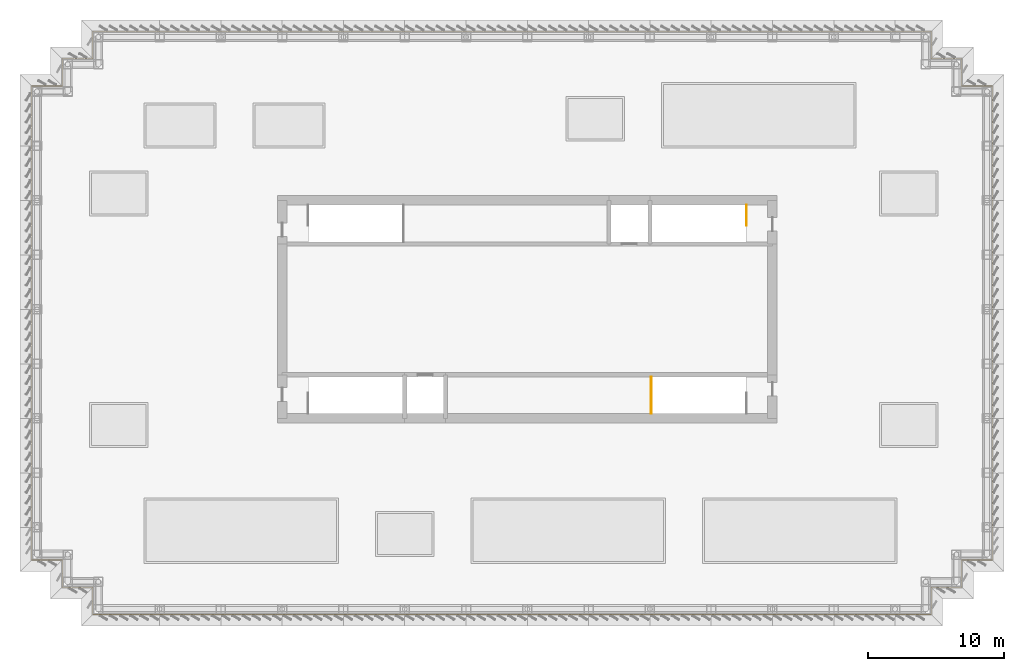
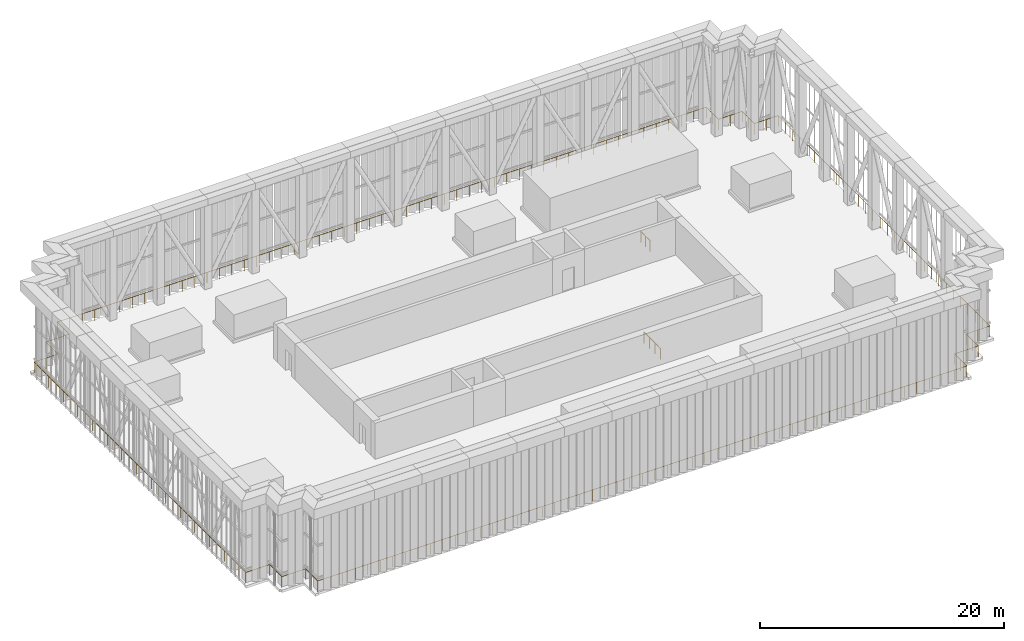
# One storey, part 6 of 11: 3 railings.
"""IFC4 building model written with IfcOpenShell, lengths in metres."""

import ifcopenshell
import ifcopenshell.guid

model = None  # the IFC model being written
_history = None  # IfcOwnerHistory: only IFC2X3 demands one
_inside = {}  # id of a spatial element -> (the spatial element, [elements in it])
_under = {}  # id of a project, library or spatial element -> (it, [spatial elements below it])
_declared = {}  # id of a project -> (the project, [libraries it declares])
_typed = {}  # id of a type object -> (the type object, [elements of that type])
_made_of = {}  # id of a material, layer set ... -> (it, [elements and type objects made of it])


def new_model(schema):
    """Start an empty IFC model of exactly this schema.

    Asked for "IFC4X3", IfcOpenShell would pick the latest addendum, in which some entities
    have other attributes; the version numbers below select the first issue.
    IFC2X3 requires an IfcOwnerHistory on every rooted entity: one is made here for all.
    """
    global model, _history
    if schema == "IFC4X3":
        model = ifcopenshell.file(schema_version=(4, 3, 0, 0))
    else:
        model = ifcopenshell.file(schema=schema)
    _inside.clear()
    _under.clear()
    _declared.clear()
    _typed.clear()
    _made_of.clear()
    _history = None
    if model.schema == "IFC2X3":
        org = make("IfcOrganization", Name="unknown")
        user = make(
            "IfcPersonAndOrganization",
            ThePerson=make("IfcPerson", FamilyName="unknown"),
            TheOrganization=org,
        )
        app = make(
            "IfcApplication",
            ApplicationDeveloper=org,
            Version="unknown",
            ApplicationFullName="unknown",
            ApplicationIdentifier="unknown",
        )
        _history = make(
            "IfcOwnerHistory",
            OwningUser=user,
            OwningApplication=app,
            ChangeAction="ADDED",
            CreationDate=0,
        )
    return model


def make(cls, **values):
    """One entity of the class cls with the attributes given. An attribute that is None is left unset."""
    return model.create_entity(
        cls, **{name: value for name, value in values.items() if value is not None}
    )


def rooted(cls, **values):
    """An entity with a GlobalId (a new one), such as an element, a storey or a relation."""
    return make(cls, GlobalId=ifcopenshell.guid.new(), OwnerHistory=_history, **values)


def si_unit(unit_type, name, prefix=None):
    """IfcSIUnit, for example si_unit("LENGTHUNIT", "METRE", prefix="MILLI")."""
    return make("IfcSIUnit", UnitType=unit_type, Prefix=prefix, Name=name)


def assignment(units):
    """IfcUnitAssignment: the units of a project."""
    return None if units is None else make("IfcUnitAssignment", Units=units)


def point(xyz):
    """IfcCartesianPoint."""
    return None if xyz is None else make("IfcCartesianPoint", Coordinates=xyz)


def direction(xyz):
    """IfcDirection."""
    return None if xyz is None else make("IfcDirection", DirectionRatios=xyz)


def frame(location, z_axis=None, x_axis=None):
    """IfcAxis2Placement3D, a coordinate frame: its origin and axes. An axis left out is left unset."""
    return make(
        "IfcAxis2Placement3D",
        Location=point(location),
        Axis=direction(z_axis),
        RefDirection=direction(x_axis),
    )


def frame_2d(location, x_axis=None):
    """IfcAxis2Placement2D, a coordinate frame in the plane: its origin and x axis."""
    return make(
        "IfcAxis2Placement2D", Location=point(location), RefDirection=direction(x_axis)
    )


def origin():
    """The frame at (0, 0, 0) with its axes left unset."""
    return frame((0.0, 0.0, 0.0))


def origin_2d():
    """The frame at (0, 0) in the plane with its x axis left unset."""
    return frame_2d((0.0, 0.0))


def place(relative_to, where):
    """IfcLocalPlacement: puts the frame where relative to a parent placement (None: the world)."""
    return make(
        "IfcLocalPlacement", PlacementRelTo=relative_to, RelativePlacement=where
    )


def context(
    kind, dimensions, precision=None, world=None, true_north=None, identifier=None
):
    """IfcGeometricRepresentationContext, for example the 3D "Model" context."""
    return make(
        "IfcGeometricRepresentationContext",
        ContextIdentifier=identifier,
        ContextType=kind,
        CoordinateSpaceDimension=dimensions,
        Precision=precision,
        WorldCoordinateSystem=world,
        TrueNorth=true_north,
    )


def subcontext(parent, identifier, kind, view, scale=None):
    """IfcGeometricRepresentationSubContext, for example "Body" below "Model"."""
    return make(
        "IfcGeometricRepresentationSubContext",
        ContextIdentifier=identifier,
        ContextType=kind,
        ParentContext=parent,
        TargetScale=scale,
        TargetView=view,
    )


def project(units=None, contexts=None):
    """IfcProject with its units and contexts."""
    return rooted(
        "IfcProject",
        Name="project",
        RepresentationContexts=contexts,
        UnitsInContext=assignment(units),
    )


def spatial(cls, under=None, at=None, **own):
    """A site, building, storey or space (cls), placed at a placement, below another one or the project."""
    s = rooted(cls, ObjectPlacement=at, **own)
    if under is not None:
        _under.setdefault(under.id(), (under, []))[1].append(s)
    return s


def profile(cls, at=None, kind="AREA", **sizes):
    """A parametric profile (cls). Its sizes go by their IFC names, for example OverallWidth=200.0."""
    return make(cls, ProfileType=kind, Position=at, **sizes)


def circle(**sizes):
    """IfcCircleProfileDef."""
    return profile("IfcCircleProfileDef", **sizes)


def extrude(swept, where, along, depth):
    """IfcExtrudedAreaSolid: the profile swept, set in the frame where, extruded along a direction by depth."""
    return make(
        "IfcExtrudedAreaSolid",
        SweptArea=swept,
        Position=where,
        ExtrudedDirection=direction(along),
        Depth=depth,
    )


def shape(context_of_items, identifier, shape_type, items):
    """IfcShapeRepresentation: the items that make up one representation, for example the "Body"."""
    return make(
        "IfcShapeRepresentation",
        ContextOfItems=context_of_items,
        RepresentationIdentifier=identifier,
        RepresentationType=shape_type,
        Items=items,
    )


def material(Name=None, Category=None):
    """IfcMaterial."""
    return make("IfcMaterial", Name=Name, Category=Category)


def made_of(thing, what):
    """Note that an element or type object is made of a material, layer set ...; save() writes the relation."""
    if what is not None:
        _made_of.setdefault(what.id(), (what, []))[1].append(thing)
    return thing


def type_object(cls, material=None, **own):
    """A type object (cls), such as IfcWallType, which elements share."""
    return made_of(rooted(cls, **own), material)


def element(
    cls,
    number,
    at=None,
    inside=None,
    cuts=None,
    type_object=None,
    material=None,
    context=None,
    identifier="Body",
    shape_type=None,
    held_by="IfcProductDefinitionShape",
    body=None,
    shapes=None,
    **own,
):
    """One element of the class cls, such as IfcWall. Its Tag is "e" and its number.

    at: its placement. inside: the storey or other place that contains it. cuts: it is an
    opening in that element (IfcRelVoidsElement). A single representation is given by context,
    identifier, shape_type and body (its items); several are given by shapes. held_by: the class
    of the entity that holds the representations. save() writes the other relations.
    """
    e = rooted(cls, Tag="e%d" % number, ObjectPlacement=at, **own)
    if body is not None:
        shapes = [shape(context, identifier, shape_type, body)]
    if shapes is not None:
        e.Representation = make(held_by, Representations=shapes)
    if inside is not None:
        _inside.setdefault(inside.id(), (inside, []))[1].append(e)
    if cuts is not None:
        rooted(
            "IfcRelVoidsElement", RelatingBuildingElement=cuts, RelatedOpeningElement=e
        )
    if type_object is not None:
        _typed.setdefault(type_object.id(), (type_object, []))[1].append(e)
    return made_of(e, material)


def aggregate(whole, parts):
    """IfcRelAggregates: a whole, such as a stair, and the parts it consists of."""
    return rooted("IfcRelAggregates", RelatingObject=whole, RelatedObjects=parts)


def save(model, path):
    """Write the relations noted so far, then the file.

    IfcRelAggregates (storeys below a building ...), IfcRelContainedInSpatialStructure (elements
    in a storey), IfcRelDefinesByType, IfcRelAssociatesMaterial and IfcRelDeclares: one each for
    every whole, place, type object, material and project.
    """
    for whole, parts in _under.values():
        aggregate(whole, parts)
    for where, things in _inside.values():
        rooted(
            "IfcRelContainedInSpatialStructure",
            RelatedElements=things,
            RelatingStructure=where,
        )
    for kind, things in _typed.values():
        rooted("IfcRelDefinesByType", RelatedObjects=things, RelatingType=kind)
    for what, things in _made_of.values():
        rooted("IfcRelAssociatesMaterial", RelatedObjects=things, RelatingMaterial=what)
    for by, libraries in _declared.values():
        rooted("IfcRelDeclares", RelatingContext=by, RelatedDefinitions=libraries)
    model.write(path)


model = new_model("IFC4")

# Units and contexts
model_context = context("Model", 3, precision=1e-05, world=origin(), true_north=direction((0.0, 1.0)))
body_context = subcontext(model_context, "Body", "Model", "MODEL_VIEW")
ifc_project = project(units=[si_unit("LENGTHUNIT", "METRE"), si_unit("AREAUNIT", "SQUARE_METRE"), si_unit("VOLUMEUNIT", "CUBIC_METRE"), si_unit("PLANEANGLEUNIT", "RADIAN"), si_unit("MASSUNIT", "GRAM", prefix="KILO")], contexts=[model_context])

# Site, building, storey
site_placement = place(None, origin())
site = spatial("IfcSite", under=ifc_project, at=site_placement, CompositionType="ELEMENT")
building_placement = place(site_placement, origin())
building = spatial("IfcBuilding", under=site, at=building_placement, Name="Rheinbord Bourse Tower", CompositionType="ELEMENT")
storey_placement = place(building_placement, frame((0.0, 0.0, 334.10009765625)))
storey = spatial("IfcBuildingStorey", under=building, at=storey_placement, Name="RF", CompositionType="ELEMENT", Elevation=334.10009765625)

# Railings
ifc_material_1 = material(Name="Steel and glass guard", Category="steel")
railing_type_1 = type_object("IfcRailingType", Name="GUARD 1100", PredefinedType="GUARDRAIL", material=ifc_material_1)
railing_1_placement = place(storey_placement, frame((45.10009765625, 16.35009765625, 0.0)))
element("IfcRailing", 1, at=railing_1_placement, inside=storey, type_object=railing_type_1, Name="Stair well guard ST3 RF", PredefinedType="GUARDRAIL", context=body_context, shape_type="SweptSolid", body=[
    extrude(circle(Radius=0.02392578125, at=origin_2d()), frame((0.0, 0.0, 1.076171875), z_axis=(0.0, 1.0, 0.0), x_axis=(-1.0, 0.0, 0.0)), (0.0, 0.0, 1.0), 2.699951171875),
    extrude(circle(Radius=0.02099609375, at=origin_2d()), origin(), (0.0, 0.0, 1.0), 1.052001953125),
    extrude(circle(Radius=0.02099609375, at=origin_2d()), frame((0.0, 0.89990234375, 0.0)), (0.0, 0.0, 1.0), 1.052001953125),
    extrude(circle(Radius=0.02099609375, at=origin_2d()), frame((0.0, 1.800048828125, 0.0)), (0.0, 0.0, 1.0), 1.052001953125),
    extrude(circle(Radius=0.02099609375, at=origin_2d()), frame((0.0, 2.699951171875, 0.0)), (0.0, 0.0, 1.0), 1.052001953125),
])
railing_2_placement = place(storey_placement, frame((52.10009765625, 30.14990234375, 0.0)))
element("IfcRailing", 2, at=railing_2_placement, inside=storey, type_object=railing_type_1, Name="Stair well guard ST4 RF", PredefinedType="GUARDRAIL", context=body_context, shape_type="SweptSolid", body=[
    extrude(circle(Radius=0.02392578125, at=origin_2d()), frame((0.0, 0.0, 1.076171875), z_axis=(0.0, 1.0, 0.0), x_axis=(-1.0, 0.0, 0.0)), (0.0, 0.0, 1.0), 1.5),
    extrude(circle(Radius=0.02099609375, at=origin_2d()), origin(), (0.0, 0.0, 1.0), 1.052001953125),
    extrude(circle(Radius=0.02099609375, at=origin_2d()), frame((0.0, 0.75, 0.0)), (0.0, 0.0, 1.0), 1.052001953125),
    extrude(circle(Radius=0.02099609375, at=origin_2d()), frame((0.0, 1.5, 0.0)), (0.0, 0.0, 1.0), 1.052001953125),
])
ifc_material_2 = material(Name="Black steel guard", Category="steel")
railing_type_2 = type_object("IfcRailingType", Name="ROOF GUARD 1100", PredefinedType="GUARDRAIL", material=ifc_material_2)
railing_3_placement = place(storey_placement, frame((4.10009765625, 1.60009765625, 0.0)))
element("IfcRailing", 3, at=railing_3_placement, inside=storey, type_object=railing_type_2, Name="Roof guard", PredefinedType="GUARDRAIL", context=body_context, shape_type="SweptSolid", body=[
    extrude(circle(Radius=0.02392578125, at=origin_2d()), frame((0.0, 0.0, 1.076171875), z_axis=(1.0, 0.0, 0.0), x_axis=(0.0, 1.0, 0.0)), (0.0, 0.0, 1.0), 61.5498046875),
    extrude(circle(Radius=0.02392578125, at=origin_2d()), frame((61.5498046875, 0.0, 1.076171875), z_axis=(0.0, 1.0, 0.0), x_axis=(-1.0, 0.0, 0.0)), (0.0, 0.0, 1.0), 2.0),
    extrude(circle(Radius=0.02392578125, at=origin_2d()), frame((61.5498046875, 2.0, 1.076171875), z_axis=(1.0, 0.0, 0.0), x_axis=(0.0, 1.0, 0.0)), (0.0, 0.0, 1.0), 2.25),
    extrude(circle(Radius=0.02392578125, at=origin_2d()), frame((63.7998046875, 2.0, 1.076171875), z_axis=(0.0, 1.0, 0.0), x_axis=(-1.0, 0.0, 0.0)), (0.0, 0.0, 1.0), 2.0),
    extrude(circle(Radius=0.02392578125, at=origin_2d()), frame((63.7998046875, 4.0, 1.076171875), z_axis=(1.0, 0.0, 0.0), x_axis=(0.0, 1.0, 0.0)), (0.0, 0.0, 1.0), 2.25),
    extrude(circle(Radius=0.02392578125, at=origin_2d()), frame((66.0498046875, 4.0, 1.076171875), z_axis=(0.0, 1.0, 0.0), x_axis=(-1.0, 0.0, 0.0)), (0.0, 0.0, 1.0), 34.7998046875),
    extrude(circle(Radius=0.02392578125, at=origin_2d()), frame((66.0498046875, 38.7998046875, 1.076171875), z_axis=(-1.0, 0.0, 0.0), x_axis=(0.0, -1.0, 0.0)), (0.0, 0.0, 1.0), 2.25),
    extrude(circle(Radius=0.02392578125, at=origin_2d()), frame((63.7998046875, 38.7998046875, 1.076171875), z_axis=(0.0, 1.0, 0.0), x_axis=(-1.0, 0.0, 0.0)), (0.0, 0.0, 1.0), 2.0),
    extrude(circle(Radius=0.02392578125, at=origin_2d()), frame((63.7998046875, 40.7998046875, 1.076171875), z_axis=(-1.0, 0.0, 0.0), x_axis=(0.0, -1.0, 0.0)), (0.0, 0.0, 1.0), 2.25),
    extrude(circle(Radius=0.02392578125, at=origin_2d()), frame((61.5498046875, 40.7998046875, 1.076171875), z_axis=(0.0, 1.0, 0.0), x_axis=(-1.0, 0.0, 0.0)), (0.0, 0.0, 1.0), 2.0),
    extrude(circle(Radius=0.02392578125, at=origin_2d()), frame((61.5498046875, 42.7998046875, 1.076171875), z_axis=(-1.0, 0.0, 0.0), x_axis=(0.0, -1.0, 0.0)), (0.0, 0.0, 1.0), 61.5498046875),
    extrude(circle(Radius=0.02392578125, at=origin_2d()), frame((0.0, 42.7998046875, 1.076171875), z_axis=(0.0, -1.0, 0.0), x_axis=(1.0, 0.0, 0.0)), (0.0, 0.0, 1.0), 2.0),
    extrude(circle(Radius=0.02392578125, at=origin_2d()), frame((0.0, 40.7998046875, 1.076171875), z_axis=(-1.0, 0.0, 0.0), x_axis=(0.0, -1.0, 0.0)), (0.0, 0.0, 1.0), 2.25),
    extrude(circle(Radius=0.02392578125, at=origin_2d()), frame((-2.25, 40.7998046875, 1.076171875), z_axis=(0.0, -1.0, 0.0), x_axis=(1.0, 0.0, 0.0)), (0.0, 0.0, 1.0), 2.0),
    extrude(circle(Radius=0.02392578125, at=origin_2d()), frame((-2.25, 38.7998046875, 1.076171875), z_axis=(-1.0, 0.0, 0.0), x_axis=(0.0, -1.0, 0.0)), (0.0, 0.0, 1.0), 2.25),
    extrude(circle(Radius=0.02392578125, at=origin_2d()), frame((-4.5, 38.7998046875, 1.076171875), z_axis=(0.0, -1.0, 0.0), x_axis=(1.0, 0.0, 0.0)), (0.0, 0.0, 1.0), 34.7998046875),
    extrude(circle(Radius=0.02392578125, at=origin_2d()), frame((-4.5, 4.0, 1.076171875), z_axis=(1.0, 0.0, 0.0), x_axis=(0.0, 1.0, 0.0)), (0.0, 0.0, 1.0), 2.25),
    extrude(circle(Radius=0.02392578125, at=origin_2d()), frame((-2.25, 4.0, 1.076171875), z_axis=(0.0, -1.0, 0.0), x_axis=(1.0, 0.0, 0.0)), (0.0, 0.0, 1.0), 2.0),
    extrude(circle(Radius=0.02392578125, at=origin_2d()), frame((-2.25, 2.0, 1.076171875), z_axis=(1.0, 0.0, 0.0), x_axis=(0.0, 1.0, 0.0)), (0.0, 0.0, 1.0), 2.25),
    extrude(circle(Radius=0.02392578125, at=origin_2d()), frame((0.0, 2.0, 1.076171875), z_axis=(0.0, -1.0, 0.0), x_axis=(1.0, 0.0, 0.0)), (0.0, 0.0, 1.0), 2.0),
    extrude(circle(Radius=0.02099609375, at=origin_2d()), origin(), (0.0, 0.0, 1.0), 1.052001953125),
    extrude(circle(Radius=0.02099609375, at=origin_2d()), frame((1.18359375, 0.0, 0.0)), (0.0, 0.0, 1.0), 1.052001953125),
    extrude(circle(Radius=0.02099609375, at=origin_2d()), frame((2.3671875, 0.0, 0.0)), (0.0, 0.0, 1.0), 1.052001953125),
    extrude(circle(Radius=0.02099609375, at=origin_2d()), frame((3.551025390625, 0.0, 0.0)), (0.0, 0.0, 1.0), 1.052001953125),
    extrude(circle(Radius=0.02099609375, at=origin_2d()), frame((4.734619140625, 0.0, 0.0)), (0.0, 0.0, 1.0), 1.052001953125),
    extrude(circle(Radius=0.02099609375, at=origin_2d()), frame((5.918212890625, 0.0, 0.0)), (0.0, 0.0, 1.0), 1.052001953125),
    extrude(circle(Radius=0.02099609375, at=origin_2d()), frame((7.101806640625, 0.0, 0.0)), (0.0, 0.0, 1.0), 1.052001953125),
    extrude(circle(Radius=0.02099609375, at=origin_2d()), frame((8.28564453125, 0.0, 0.0)), (0.0, 0.0, 1.0), 1.052001953125),
    extrude(circle(Radius=0.02099609375, at=origin_2d()), frame((9.46923828125, 0.0, 0.0)), (0.0, 0.0, 1.0), 1.052001953125),
    extrude(circle(Radius=0.02099609375, at=origin_2d()), frame((10.65283203125, 0.0, 0.0)), (0.0, 0.0, 1.0), 1.052001953125),
    extrude(circle(Radius=0.02099609375, at=origin_2d()), frame((11.83642578125, 0.0, 0.0)), (0.0, 0.0, 1.0), 1.052001953125),
    extrude(circle(Radius=0.02099609375, at=origin_2d()), frame((13.020263671875, 0.0, 0.0)), (0.0, 0.0, 1.0), 1.052001953125),
    extrude(circle(Radius=0.02099609375, at=origin_2d()), frame((14.203857421875, 0.0, 0.0)), (0.0, 0.0, 1.0), 1.052001953125),
    extrude(circle(Radius=0.02099609375, at=origin_2d()), frame((15.387451171875, 0.0, 0.0)), (0.0, 0.0, 1.0), 1.052001953125),
    extrude(circle(Radius=0.02099609375, at=origin_2d()), frame((16.571044921875, 0.0, 0.0)), (0.0, 0.0, 1.0), 1.052001953125),
    extrude(circle(Radius=0.02099609375, at=origin_2d()), frame((17.754638671875, 0.0, 0.0)), (0.0, 0.0, 1.0), 1.052001953125),
    extrude(circle(Radius=0.02099609375, at=origin_2d()), frame((18.9384765625, 0.0, 0.0)), (0.0, 0.0, 1.0), 1.052001953125),
    extrude(circle(Radius=0.02099609375, at=origin_2d()), frame((20.1220703125, 0.0, 0.0)), (0.0, 0.0, 1.0), 1.052001953125),
    extrude(circle(Radius=0.02099609375, at=origin_2d()), frame((21.3056640625, 0.0, 0.0)), (0.0, 0.0, 1.0), 1.052001953125),
    extrude(circle(Radius=0.02099609375, at=origin_2d()), frame((22.4892578125, 0.0, 0.0)), (0.0, 0.0, 1.0), 1.052001953125),
    extrude(circle(Radius=0.02099609375, at=origin_2d()), frame((23.673095703125, 0.0, 0.0)), (0.0, 0.0, 1.0), 1.052001953125),
    extrude(circle(Radius=0.02099609375, at=origin_2d()), frame((24.856689453125, 0.0, 0.0)), (0.0, 0.0, 1.0), 1.052001953125),
    extrude(circle(Radius=0.02099609375, at=origin_2d()), frame((26.040283203125, 0.0, 0.0)), (0.0, 0.0, 1.0), 1.052001953125),
    extrude(circle(Radius=0.02099609375, at=origin_2d()), frame((27.223876953125, 0.0, 0.0)), (0.0, 0.0, 1.0), 1.052001953125),
    extrude(circle(Radius=0.02099609375, at=origin_2d()), frame((28.40771484375, 0.0, 0.0)), (0.0, 0.0, 1.0), 1.052001953125),
    extrude(circle(Radius=0.02099609375, at=origin_2d()), frame((29.59130859375, 0.0, 0.0)), (0.0, 0.0, 1.0), 1.052001953125),
    extrude(circle(Radius=0.02099609375, at=origin_2d()), frame((30.77490234375, 0.0, 0.0)), (0.0, 0.0, 1.0), 1.052001953125),
    extrude(circle(Radius=0.02099609375, at=origin_2d()), frame((31.95849609375, 0.0, 0.0)), (0.0, 0.0, 1.0), 1.052001953125),
    extrude(circle(Radius=0.02099609375, at=origin_2d()), frame((33.14208984375, 0.0, 0.0)), (0.0, 0.0, 1.0), 1.052001953125),
    extrude(circle(Radius=0.02099609375, at=origin_2d()), frame((34.325927734375, 0.0, 0.0)), (0.0, 0.0, 1.0), 1.052001953125),
    extrude(circle(Radius=0.02099609375, at=origin_2d()), frame((35.509521484375, 0.0, 0.0)), (0.0, 0.0, 1.0), 1.052001953125),
    extrude(circle(Radius=0.02099609375, at=origin_2d()), frame((36.693115234375, 0.0, 0.0)), (0.0, 0.0, 1.0), 1.052001953125),
    extrude(circle(Radius=0.02099609375, at=origin_2d()), frame((37.876708984375, 0.0, 0.0)), (0.0, 0.0, 1.0), 1.052001953125),
    extrude(circle(Radius=0.02099609375, at=origin_2d()), frame((39.060546875, 0.0, 0.0)), (0.0, 0.0, 1.0), 1.052001953125),
    extrude(circle(Radius=0.02099609375, at=origin_2d()), frame((40.244140625, 0.0, 0.0)), (0.0, 0.0, 1.0), 1.052001953125),
    extrude(circle(Radius=0.02099609375, at=origin_2d()), frame((41.427734375, 0.0, 0.0)), (0.0, 0.0, 1.0), 1.052001953125),
    extrude(circle(Radius=0.02099609375, at=origin_2d()), frame((42.611328125, 0.0, 0.0)), (0.0, 0.0, 1.0), 1.052001953125),
    extrude(circle(Radius=0.02099609375, at=origin_2d()), frame((43.795166015625, 0.0, 0.0)), (0.0, 0.0, 1.0), 1.052001953125),
    extrude(circle(Radius=0.02099609375, at=origin_2d()), frame((44.978759765625, 0.0, 0.0)), (0.0, 0.0, 1.0), 1.052001953125),
    extrude(circle(Radius=0.02099609375, at=origin_2d()), frame((46.162353515625, 0.0, 0.0)), (0.0, 0.0, 1.0), 1.052001953125),
    extrude(circle(Radius=0.02099609375, at=origin_2d()), frame((47.345947265625, 0.0, 0.0)), (0.0, 0.0, 1.0), 1.052001953125),
    extrude(circle(Radius=0.02099609375, at=origin_2d()), frame((48.529541015625, 0.0, 0.0)), (0.0, 0.0, 1.0), 1.052001953125),
    extrude(circle(Radius=0.02099609375, at=origin_2d()), frame((49.71337890625, 0.0, 0.0)), (0.0, 0.0, 1.0), 1.052001953125),
    extrude(circle(Radius=0.02099609375, at=origin_2d()), frame((50.89697265625, 0.0, 0.0)), (0.0, 0.0, 1.0), 1.052001953125),
    extrude(circle(Radius=0.02099609375, at=origin_2d()), frame((52.08056640625, 0.0, 0.0)), (0.0, 0.0, 1.0), 1.052001953125),
    extrude(circle(Radius=0.02099609375, at=origin_2d()), frame((53.26416015625, 0.0, 0.0)), (0.0, 0.0, 1.0), 1.052001953125),
    extrude(circle(Radius=0.02099609375, at=origin_2d()), frame((54.447998046875, 0.0, 0.0)), (0.0, 0.0, 1.0), 1.052001953125),
    extrude(circle(Radius=0.02099609375, at=origin_2d()), frame((55.631591796875, 0.0, 0.0)), (0.0, 0.0, 1.0), 1.052001953125),
    extrude(circle(Radius=0.02099609375, at=origin_2d()), frame((56.815185546875, 0.0, 0.0)), (0.0, 0.0, 1.0), 1.052001953125),
    extrude(circle(Radius=0.02099609375, at=origin_2d()), frame((57.998779296875, 0.0, 0.0)), (0.0, 0.0, 1.0), 1.052001953125),
    extrude(circle(Radius=0.02099609375, at=origin_2d()), frame((59.1826171875, 0.0, 0.0)), (0.0, 0.0, 1.0), 1.052001953125),
    extrude(circle(Radius=0.02099609375, at=origin_2d()), frame((60.3662109375, 0.0, 0.0)), (0.0, 0.0, 1.0), 1.052001953125),
    extrude(circle(Radius=0.02099609375, at=origin_2d()), frame((61.5498046875, 0.0, 0.0)), (0.0, 0.0, 1.0), 1.052001953125),
    extrude(circle(Radius=0.02099609375, at=origin_2d()), frame((61.5498046875, 1.0, 0.0)), (0.0, 0.0, 1.0), 1.052001953125),
    extrude(circle(Radius=0.02099609375, at=origin_2d()), frame((61.5498046875, 2.0, 0.0)), (0.0, 0.0, 1.0), 1.052001953125),
    extrude(circle(Radius=0.02099609375, at=origin_2d()), frame((62.6748046875, 2.0, 0.0)), (0.0, 0.0, 1.0), 1.052001953125),
    extrude(circle(Radius=0.02099609375, at=origin_2d()), frame((63.7998046875, 2.0, 0.0)), (0.0, 0.0, 1.0), 1.052001953125),
    extrude(circle(Radius=0.02099609375, at=origin_2d()), frame((63.7998046875, 3.0, 0.0)), (0.0, 0.0, 1.0), 1.052001953125),
    extrude(circle(Radius=0.02099609375, at=origin_2d()), frame((63.7998046875, 4.0, 0.0)), (0.0, 0.0, 1.0), 1.052001953125),
    extrude(circle(Radius=0.02099609375, at=origin_2d()), frame((64.9248046875, 4.0, 0.0)), (0.0, 0.0, 1.0), 1.052001953125),
    extrude(circle(Radius=0.02099609375, at=origin_2d()), frame((66.0498046875, 4.0, 0.0)), (0.0, 0.0, 1.0), 1.052001953125),
    extrude(circle(Radius=0.02099609375, at=origin_2d()), frame((66.0498046875, 5.199951171875, 0.0)), (0.0, 0.0, 1.0), 1.052001953125),
    extrude(circle(Radius=0.02099609375, at=origin_2d()), frame((66.0498046875, 6.39990234375, 0.0)), (0.0, 0.0, 1.0), 1.052001953125),
    extrude(circle(Radius=0.02099609375, at=origin_2d()), frame((66.0498046875, 7.60009765625, 0.0)), (0.0, 0.0, 1.0), 1.052001953125),
    extrude(circle(Radius=0.02099609375, at=origin_2d()), frame((66.0498046875, 8.800048828125, 0.0)), (0.0, 0.0, 1.0), 1.052001953125),
    extrude(circle(Radius=0.02099609375, at=origin_2d()), frame((66.0498046875, 10.0, 0.0)), (0.0, 0.0, 1.0), 1.052001953125),
    extrude(circle(Radius=0.02099609375, at=origin_2d()), frame((66.0498046875, 11.199951171875, 0.0)), (0.0, 0.0, 1.0), 1.052001953125),
    extrude(circle(Radius=0.02099609375, at=origin_2d()), frame((66.0498046875, 12.39990234375, 0.0)), (0.0, 0.0, 1.0), 1.052001953125),
    extrude(circle(Radius=0.02099609375, at=origin_2d()), frame((66.0498046875, 13.599853515625, 0.0)), (0.0, 0.0, 1.0), 1.052001953125),
    extrude(circle(Radius=0.02099609375, at=origin_2d()), frame((66.0498046875, 14.800048828125, 0.0)), (0.0, 0.0, 1.0), 1.052001953125),
    extrude(circle(Radius=0.02099609375, at=origin_2d()), frame((66.0498046875, 16.0, 0.0)), (0.0, 0.0, 1.0), 1.052001953125),
    extrude(circle(Radius=0.02099609375, at=origin_2d()), frame((66.0498046875, 17.199951171875, 0.0)), (0.0, 0.0, 1.0), 1.052001953125),
    extrude(circle(Radius=0.02099609375, at=origin_2d()), frame((66.0498046875, 18.39990234375, 0.0)), (0.0, 0.0, 1.0), 1.052001953125),
    extrude(circle(Radius=0.02099609375, at=origin_2d()), frame((66.0498046875, 19.599853515625, 0.0)), (0.0, 0.0, 1.0), 1.052001953125),
    extrude(circle(Radius=0.02099609375, at=origin_2d()), frame((66.0498046875, 20.7998046875, 0.0)), (0.0, 0.0, 1.0), 1.052001953125),
    extrude(circle(Radius=0.02099609375, at=origin_2d()), frame((66.0498046875, 22.0, 0.0)), (0.0, 0.0, 1.0), 1.052001953125),
    extrude(circle(Radius=0.02099609375, at=origin_2d()), frame((66.0498046875, 23.199951171875, 0.0)), (0.0, 0.0, 1.0), 1.052001953125),
    extrude(circle(Radius=0.02099609375, at=origin_2d()), frame((66.0498046875, 24.39990234375, 0.0)), (0.0, 0.0, 1.0), 1.052001953125),
    extrude(circle(Radius=0.02099609375, at=origin_2d()), frame((66.0498046875, 25.599853515625, 0.0)), (0.0, 0.0, 1.0), 1.052001953125),
    extrude(circle(Radius=0.02099609375, at=origin_2d()), frame((66.0498046875, 26.7998046875, 0.0)), (0.0, 0.0, 1.0), 1.052001953125),
    extrude(circle(Radius=0.02099609375, at=origin_2d()), frame((66.0498046875, 27.999755859375, 0.0)), (0.0, 0.0, 1.0), 1.052001953125),
    extrude(circle(Radius=0.02099609375, at=origin_2d()), frame((66.0498046875, 29.199951171875, 0.0)), (0.0, 0.0, 1.0), 1.052001953125),
    extrude(circle(Radius=0.02099609375, at=origin_2d()), frame((66.0498046875, 30.39990234375, 0.0)), (0.0, 0.0, 1.0), 1.052001953125),
    extrude(circle(Radius=0.02099609375, at=origin_2d()), frame((66.0498046875, 31.599853515625, 0.0)), (0.0, 0.0, 1.0), 1.052001953125),
    extrude(circle(Radius=0.02099609375, at=origin_2d()), frame((66.0498046875, 32.7998046875, 0.0)), (0.0, 0.0, 1.0), 1.052001953125),
    extrude(circle(Radius=0.02099609375, at=origin_2d()), frame((66.0498046875, 33.999755859375, 0.0)), (0.0, 0.0, 1.0), 1.052001953125),
    extrude(circle(Radius=0.02099609375, at=origin_2d()), frame((66.0498046875, 35.19970703125, 0.0)), (0.0, 0.0, 1.0), 1.052001953125),
    extrude(circle(Radius=0.02099609375, at=origin_2d()), frame((66.0498046875, 36.39990234375, 0.0)), (0.0, 0.0, 1.0), 1.052001953125),
    extrude(circle(Radius=0.02099609375, at=origin_2d()), frame((66.0498046875, 37.599853515625, 0.0)), (0.0, 0.0, 1.0), 1.052001953125),
    extrude(circle(Radius=0.02099609375, at=origin_2d()), frame((66.0498046875, 38.7998046875, 0.0)), (0.0, 0.0, 1.0), 1.052001953125),
    extrude(circle(Radius=0.02099609375, at=origin_2d()), frame((64.9248046875, 38.7998046875, 0.0)), (0.0, 0.0, 1.0), 1.052001953125),
    extrude(circle(Radius=0.02099609375, at=origin_2d()), frame((63.7998046875, 38.7998046875, 0.0)), (0.0, 0.0, 1.0), 1.052001953125),
    extrude(circle(Radius=0.02099609375, at=origin_2d()), frame((63.7998046875, 39.7998046875, 0.0)), (0.0, 0.0, 1.0), 1.052001953125),
    extrude(circle(Radius=0.02099609375, at=origin_2d()), frame((63.7998046875, 40.7998046875, 0.0)), (0.0, 0.0, 1.0), 1.052001953125),
    extrude(circle(Radius=0.02099609375, at=origin_2d()), frame((62.6748046875, 40.7998046875, 0.0)), (0.0, 0.0, 1.0), 1.052001953125),
    extrude(circle(Radius=0.02099609375, at=origin_2d()), frame((61.5498046875, 40.7998046875, 0.0)), (0.0, 0.0, 1.0), 1.052001953125),
    extrude(circle(Radius=0.02099609375, at=origin_2d()), frame((61.5498046875, 41.7998046875, 0.0)), (0.0, 0.0, 1.0), 1.052001953125),
    extrude(circle(Radius=0.02099609375, at=origin_2d()), frame((61.5498046875, 42.7998046875, 0.0)), (0.0, 0.0, 1.0), 1.052001953125),
    extrude(circle(Radius=0.02099609375, at=origin_2d()), frame((60.3662109375, 42.7998046875, 0.0)), (0.0, 0.0, 1.0), 1.052001953125),
    extrude(circle(Radius=0.02099609375, at=origin_2d()), frame((59.1826171875, 42.7998046875, 0.0)), (0.0, 0.0, 1.0), 1.052001953125),
    extrude(circle(Radius=0.02099609375, at=origin_2d()), frame((57.998779296875, 42.7998046875, 0.0)), (0.0, 0.0, 1.0), 1.052001953125),
    extrude(circle(Radius=0.02099609375, at=origin_2d()), frame((56.815185546875, 42.7998046875, 0.0)), (0.0, 0.0, 1.0), 1.052001953125),
    extrude(circle(Radius=0.02099609375, at=origin_2d()), frame((55.631591796875, 42.7998046875, 0.0)), (0.0, 0.0, 1.0), 1.052001953125),
    extrude(circle(Radius=0.02099609375, at=origin_2d()), frame((54.447998046875, 42.7998046875, 0.0)), (0.0, 0.0, 1.0), 1.052001953125),
    extrude(circle(Radius=0.02099609375, at=origin_2d()), frame((53.26416015625, 42.7998046875, 0.0)), (0.0, 0.0, 1.0), 1.052001953125),
    extrude(circle(Radius=0.02099609375, at=origin_2d()), frame((52.08056640625, 42.7998046875, 0.0)), (0.0, 0.0, 1.0), 1.052001953125),
    extrude(circle(Radius=0.02099609375, at=origin_2d()), frame((50.89697265625, 42.7998046875, 0.0)), (0.0, 0.0, 1.0), 1.052001953125),
    extrude(circle(Radius=0.02099609375, at=origin_2d()), frame((49.71337890625, 42.7998046875, 0.0)), (0.0, 0.0, 1.0), 1.052001953125),
    extrude(circle(Radius=0.02099609375, at=origin_2d()), frame((48.529541015625, 42.7998046875, 0.0)), (0.0, 0.0, 1.0), 1.052001953125),
    extrude(circle(Radius=0.02099609375, at=origin_2d()), frame((47.345947265625, 42.7998046875, 0.0)), (0.0, 0.0, 1.0), 1.052001953125),
    extrude(circle(Radius=0.02099609375, at=origin_2d()), frame((46.162353515625, 42.7998046875, 0.0)), (0.0, 0.0, 1.0), 1.052001953125),
    extrude(circle(Radius=0.02099609375, at=origin_2d()), frame((44.978759765625, 42.7998046875, 0.0)), (0.0, 0.0, 1.0), 1.052001953125),
    extrude(circle(Radius=0.02099609375, at=origin_2d()), frame((43.795166015625, 42.7998046875, 0.0)), (0.0, 0.0, 1.0), 1.052001953125),
    extrude(circle(Radius=0.02099609375, at=origin_2d()), frame((42.611328125, 42.7998046875, 0.0)), (0.0, 0.0, 1.0), 1.052001953125),
    extrude(circle(Radius=0.02099609375, at=origin_2d()), frame((41.427734375, 42.7998046875, 0.0)), (0.0, 0.0, 1.0), 1.052001953125),
    extrude(circle(Radius=0.02099609375, at=origin_2d()), frame((40.244140625, 42.7998046875, 0.0)), (0.0, 0.0, 1.0), 1.052001953125),
    extrude(circle(Radius=0.02099609375, at=origin_2d()), frame((39.060546875, 42.7998046875, 0.0)), (0.0, 0.0, 1.0), 1.052001953125),
    extrude(circle(Radius=0.02099609375, at=origin_2d()), frame((37.876708984375, 42.7998046875, 0.0)), (0.0, 0.0, 1.0), 1.052001953125),
    extrude(circle(Radius=0.02099609375, at=origin_2d()), frame((36.693115234375, 42.7998046875, 0.0)), (0.0, 0.0, 1.0), 1.052001953125),
    extrude(circle(Radius=0.02099609375, at=origin_2d()), frame((35.509521484375, 42.7998046875, 0.0)), (0.0, 0.0, 1.0), 1.052001953125),
    extrude(circle(Radius=0.02099609375, at=origin_2d()), frame((34.325927734375, 42.7998046875, 0.0)), (0.0, 0.0, 1.0), 1.052001953125),
    extrude(circle(Radius=0.02099609375, at=origin_2d()), frame((33.14208984375, 42.7998046875, 0.0)), (0.0, 0.0, 1.0), 1.052001953125),
    extrude(circle(Radius=0.02099609375, at=origin_2d()), frame((31.95849609375, 42.7998046875, 0.0)), (0.0, 0.0, 1.0), 1.052001953125),
    extrude(circle(Radius=0.02099609375, at=origin_2d()), frame((30.77490234375, 42.7998046875, 0.0)), (0.0, 0.0, 1.0), 1.052001953125),
    extrude(circle(Radius=0.02099609375, at=origin_2d()), frame((29.59130859375, 42.7998046875, 0.0)), (0.0, 0.0, 1.0), 1.052001953125),
    extrude(circle(Radius=0.02099609375, at=origin_2d()), frame((28.40771484375, 42.7998046875, 0.0)), (0.0, 0.0, 1.0), 1.052001953125),
    extrude(circle(Radius=0.02099609375, at=origin_2d()), frame((27.223876953125, 42.7998046875, 0.0)), (0.0, 0.0, 1.0), 1.052001953125),
    extrude(circle(Radius=0.02099609375, at=origin_2d()), frame((26.040283203125, 42.7998046875, 0.0)), (0.0, 0.0, 1.0), 1.052001953125),
    extrude(circle(Radius=0.02099609375, at=origin_2d()), frame((24.856689453125, 42.7998046875, 0.0)), (0.0, 0.0, 1.0), 1.052001953125),
    extrude(circle(Radius=0.02099609375, at=origin_2d()), frame((23.673095703125, 42.7998046875, 0.0)), (0.0, 0.0, 1.0), 1.052001953125),
    extrude(circle(Radius=0.02099609375, at=origin_2d()), frame((22.4892578125, 42.7998046875, 0.0)), (0.0, 0.0, 1.0), 1.052001953125),
    extrude(circle(Radius=0.02099609375, at=origin_2d()), frame((21.3056640625, 42.7998046875, 0.0)), (0.0, 0.0, 1.0), 1.052001953125),
    extrude(circle(Radius=0.02099609375, at=origin_2d()), frame((20.1220703125, 42.7998046875, 0.0)), (0.0, 0.0, 1.0), 1.052001953125),
    extrude(circle(Radius=0.02099609375, at=origin_2d()), frame((18.9384765625, 42.7998046875, 0.0)), (0.0, 0.0, 1.0), 1.052001953125),
    extrude(circle(Radius=0.02099609375, at=origin_2d()), frame((17.754638671875, 42.7998046875, 0.0)), (0.0, 0.0, 1.0), 1.052001953125),
    extrude(circle(Radius=0.02099609375, at=origin_2d()), frame((16.571044921875, 42.7998046875, 0.0)), (0.0, 0.0, 1.0), 1.052001953125),
    extrude(circle(Radius=0.02099609375, at=origin_2d()), frame((15.387451171875, 42.7998046875, 0.0)), (0.0, 0.0, 1.0), 1.052001953125),
    extrude(circle(Radius=0.02099609375, at=origin_2d()), frame((14.203857421875, 42.7998046875, 0.0)), (0.0, 0.0, 1.0), 1.052001953125),
    extrude(circle(Radius=0.02099609375, at=origin_2d()), frame((13.020263671875, 42.7998046875, 0.0)), (0.0, 0.0, 1.0), 1.052001953125),
    extrude(circle(Radius=0.02099609375, at=origin_2d()), frame((11.83642578125, 42.7998046875, 0.0)), (0.0, 0.0, 1.0), 1.052001953125),
    extrude(circle(Radius=0.02099609375, at=origin_2d()), frame((10.65283203125, 42.7998046875, 0.0)), (0.0, 0.0, 1.0), 1.052001953125),
    extrude(circle(Radius=0.02099609375, at=origin_2d()), frame((9.46923828125, 42.7998046875, 0.0)), (0.0, 0.0, 1.0), 1.052001953125),
    extrude(circle(Radius=0.02099609375, at=origin_2d()), frame((8.28564453125, 42.7998046875, 0.0)), (0.0, 0.0, 1.0), 1.052001953125),
    extrude(circle(Radius=0.02099609375, at=origin_2d()), frame((7.101806640625, 42.7998046875, 0.0)), (0.0, 0.0, 1.0), 1.052001953125),
    extrude(circle(Radius=0.02099609375, at=origin_2d()), frame((5.918212890625, 42.7998046875, 0.0)), (0.0, 0.0, 1.0), 1.052001953125),
    extrude(circle(Radius=0.02099609375, at=origin_2d()), frame((4.734619140625, 42.7998046875, 0.0)), (0.0, 0.0, 1.0), 1.052001953125),
    extrude(circle(Radius=0.02099609375, at=origin_2d()), frame((3.551025390625, 42.7998046875, 0.0)), (0.0, 0.0, 1.0), 1.052001953125),
    extrude(circle(Radius=0.02099609375, at=origin_2d()), frame((2.3671875, 42.7998046875, 0.0)), (0.0, 0.0, 1.0), 1.052001953125),
    extrude(circle(Radius=0.02099609375, at=origin_2d()), frame((1.18359375, 42.7998046875, 0.0)), (0.0, 0.0, 1.0), 1.052001953125),
    extrude(circle(Radius=0.02099609375, at=origin_2d()), frame((0.0, 42.7998046875, 0.0)), (0.0, 0.0, 1.0), 1.052001953125),
    extrude(circle(Radius=0.02099609375, at=origin_2d()), frame((0.0, 41.7998046875, 0.0)), (0.0, 0.0, 1.0), 1.052001953125),
    extrude(circle(Radius=0.02099609375, at=origin_2d()), frame((0.0, 40.7998046875, 0.0)), (0.0, 0.0, 1.0), 1.052001953125),
    extrude(circle(Radius=0.02099609375, at=origin_2d()), frame((-1.125, 40.7998046875, 0.0)), (0.0, 0.0, 1.0), 1.052001953125),
    extrude(circle(Radius=0.02099609375, at=origin_2d()), frame((-2.25, 40.7998046875, 0.0)), (0.0, 0.0, 1.0), 1.052001953125),
    extrude(circle(Radius=0.02099609375, at=origin_2d()), frame((-2.25, 39.7998046875, 0.0)), (0.0, 0.0, 1.0), 1.052001953125),
    extrude(circle(Radius=0.02099609375, at=origin_2d()), frame((-2.25, 38.7998046875, 0.0)), (0.0, 0.0, 1.0), 1.052001953125),
    extrude(circle(Radius=0.02099609375, at=origin_2d()), frame((-3.375, 38.7998046875, 0.0)), (0.0, 0.0, 1.0), 1.052001953125),
    extrude(circle(Radius=0.02099609375, at=origin_2d()), frame((-4.5, 38.7998046875, 0.0)), (0.0, 0.0, 1.0), 1.052001953125),
    extrude(circle(Radius=0.02099609375, at=origin_2d()), frame((-4.5, 37.599853515625, 0.0)), (0.0, 0.0, 1.0), 1.052001953125),
    extrude(circle(Radius=0.02099609375, at=origin_2d()), frame((-4.5, 36.39990234375, 0.0)), (0.0, 0.0, 1.0), 1.052001953125),
    extrude(circle(Radius=0.02099609375, at=origin_2d()), frame((-4.5, 35.19970703125, 0.0)), (0.0, 0.0, 1.0), 1.052001953125),
    extrude(circle(Radius=0.02099609375, at=origin_2d()), frame((-4.5, 33.999755859375, 0.0)), (0.0, 0.0, 1.0), 1.052001953125),
    extrude(circle(Radius=0.02099609375, at=origin_2d()), frame((-4.5, 32.7998046875, 0.0)), (0.0, 0.0, 1.0), 1.052001953125),
    extrude(circle(Radius=0.02099609375, at=origin_2d()), frame((-4.5, 31.599853515625, 0.0)), (0.0, 0.0, 1.0), 1.052001953125),
    extrude(circle(Radius=0.02099609375, at=origin_2d()), frame((-4.5, 30.39990234375, 0.0)), (0.0, 0.0, 1.0), 1.052001953125),
    extrude(circle(Radius=0.02099609375, at=origin_2d()), frame((-4.5, 29.199951171875, 0.0)), (0.0, 0.0, 1.0), 1.052001953125),
    extrude(circle(Radius=0.02099609375, at=origin_2d()), frame((-4.5, 27.999755859375, 0.0)), (0.0, 0.0, 1.0), 1.052001953125),
    extrude(circle(Radius=0.02099609375, at=origin_2d()), frame((-4.5, 26.7998046875, 0.0)), (0.0, 0.0, 1.0), 1.052001953125),
    extrude(circle(Radius=0.02099609375, at=origin_2d()), frame((-4.5, 25.599853515625, 0.0)), (0.0, 0.0, 1.0), 1.052001953125),
    extrude(circle(Radius=0.02099609375, at=origin_2d()), frame((-4.5, 24.39990234375, 0.0)), (0.0, 0.0, 1.0), 1.052001953125),
    extrude(circle(Radius=0.02099609375, at=origin_2d()), frame((-4.5, 23.199951171875, 0.0)), (0.0, 0.0, 1.0), 1.052001953125),
    extrude(circle(Radius=0.02099609375, at=origin_2d()), frame((-4.5, 22.0, 0.0)), (0.0, 0.0, 1.0), 1.052001953125),
    extrude(circle(Radius=0.02099609375, at=origin_2d()), frame((-4.5, 20.7998046875, 0.0)), (0.0, 0.0, 1.0), 1.052001953125),
    extrude(circle(Radius=0.02099609375, at=origin_2d()), frame((-4.5, 19.599853515625, 0.0)), (0.0, 0.0, 1.0), 1.052001953125),
    extrude(circle(Radius=0.02099609375, at=origin_2d()), frame((-4.5, 18.39990234375, 0.0)), (0.0, 0.0, 1.0), 1.052001953125),
    extrude(circle(Radius=0.02099609375, at=origin_2d()), frame((-4.5, 17.199951171875, 0.0)), (0.0, 0.0, 1.0), 1.052001953125),
    extrude(circle(Radius=0.02099609375, at=origin_2d()), frame((-4.5, 16.0, 0.0)), (0.0, 0.0, 1.0), 1.052001953125),
    extrude(circle(Radius=0.02099609375, at=origin_2d()), frame((-4.5, 14.800048828125, 0.0)), (0.0, 0.0, 1.0), 1.052001953125),
    extrude(circle(Radius=0.02099609375, at=origin_2d()), frame((-4.5, 13.599853515625, 0.0)), (0.0, 0.0, 1.0), 1.052001953125),
    extrude(circle(Radius=0.02099609375, at=origin_2d()), frame((-4.5, 12.39990234375, 0.0)), (0.0, 0.0, 1.0), 1.052001953125),
    extrude(circle(Radius=0.02099609375, at=origin_2d()), frame((-4.5, 11.199951171875, 0.0)), (0.0, 0.0, 1.0), 1.052001953125),
    extrude(circle(Radius=0.02099609375, at=origin_2d()), frame((-4.5, 10.0, 0.0)), (0.0, 0.0, 1.0), 1.052001953125),
    extrude(circle(Radius=0.02099609375, at=origin_2d()), frame((-4.5, 8.800048828125, 0.0)), (0.0, 0.0, 1.0), 1.052001953125),
    extrude(circle(Radius=0.02099609375, at=origin_2d()), frame((-4.5, 7.60009765625, 0.0)), (0.0, 0.0, 1.0), 1.052001953125),
    extrude(circle(Radius=0.02099609375, at=origin_2d()), frame((-4.5, 6.39990234375, 0.0)), (0.0, 0.0, 1.0), 1.052001953125),
    extrude(circle(Radius=0.02099609375, at=origin_2d()), frame((-4.5, 5.199951171875, 0.0)), (0.0, 0.0, 1.0), 1.052001953125),
    extrude(circle(Radius=0.02099609375, at=origin_2d()), frame((-4.5, 4.0, 0.0)), (0.0, 0.0, 1.0), 1.052001953125),
    extrude(circle(Radius=0.02099609375, at=origin_2d()), frame((-3.375, 4.0, 0.0)), (0.0, 0.0, 1.0), 1.052001953125),
    extrude(circle(Radius=0.02099609375, at=origin_2d()), frame((-2.25, 4.0, 0.0)), (0.0, 0.0, 1.0), 1.052001953125),
    extrude(circle(Radius=0.02099609375, at=origin_2d()), frame((-2.25, 3.0, 0.0)), (0.0, 0.0, 1.0), 1.052001953125),
    extrude(circle(Radius=0.02099609375, at=origin_2d()), frame((-2.25, 2.0, 0.0)), (0.0, 0.0, 1.0), 1.052001953125),
    extrude(circle(Radius=0.02099609375, at=origin_2d()), frame((-1.125, 2.0, 0.0)), (0.0, 0.0, 1.0), 1.052001953125),
    extrude(circle(Radius=0.02099609375, at=origin_2d()), frame((0.0, 2.0, 0.0)), (0.0, 0.0, 1.0), 1.052001953125),
    extrude(circle(Radius=0.02099609375, at=origin_2d()), frame((0.0, 1.0, 0.0)), (0.0, 0.0, 1.0), 1.052001953125),
])

save(model, "model.ifc")
